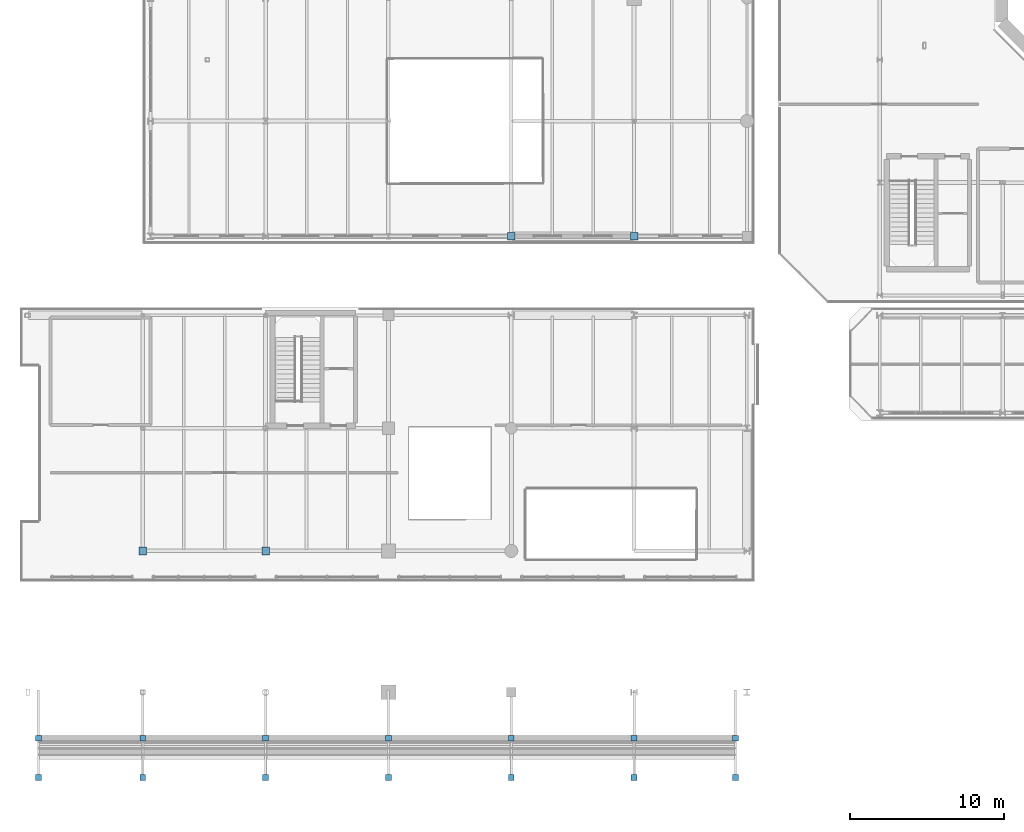
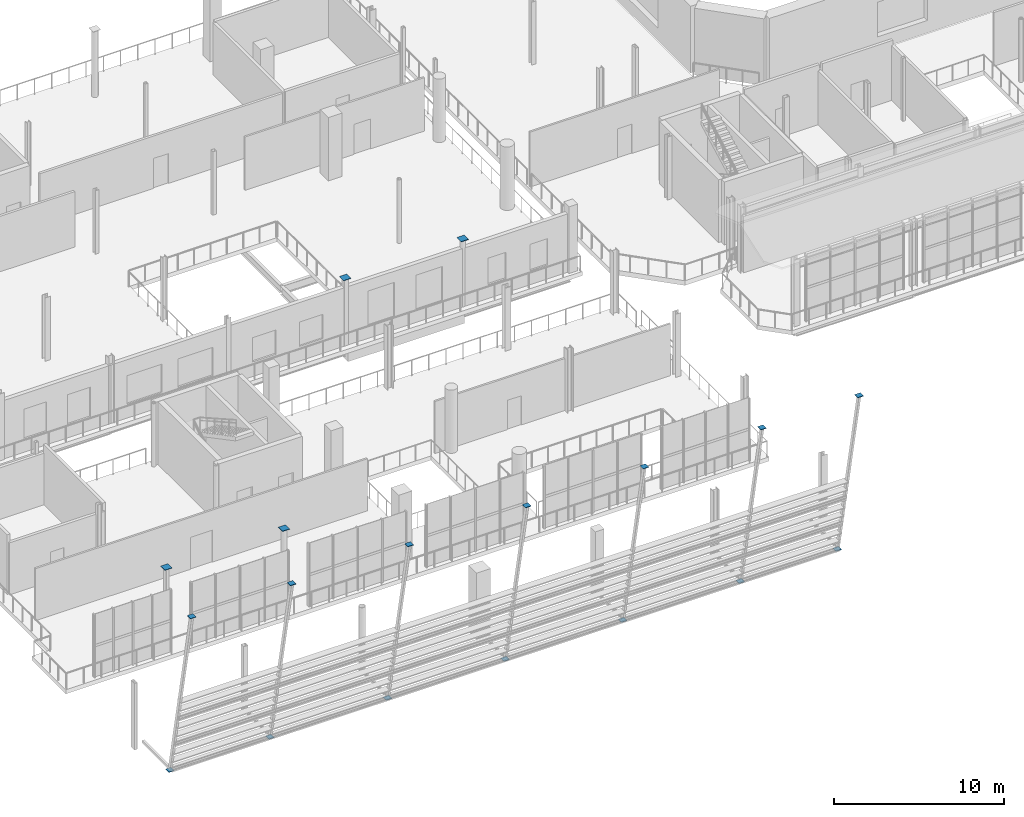
# One storey, part 77 of 93: 18 discrete accessories.
"""IFC4 building model written with IfcOpenShell, lengths in metres."""

from ifc_helpers import new_model, si_unit, direction, frame, origin, origin_2d, place, context, subcontext, project, spatial, rectangle, extrude, material, type_object, element, save


model = new_model("IFC4")

# Units and contexts
model_context = context("Model", 3, precision=1e-05, world=origin(), true_north=direction((0.0, 1.0)))
body_context = subcontext(model_context, "Body", "Model", "MODEL_VIEW")
ifc_project = project(units=[si_unit("LENGTHUNIT", "METRE"), si_unit("AREAUNIT", "SQUARE_METRE"), si_unit("VOLUMEUNIT", "CUBIC_METRE"), si_unit("PLANEANGLEUNIT", "RADIAN"), si_unit("MASSUNIT", "GRAM", prefix="KILO")], contexts=[model_context])

# Site, building, storey
site_placement = place(None, origin())
site = spatial("IfcSite", under=ifc_project, at=site_placement, CompositionType="ELEMENT")
building_placement = place(site_placement, origin())
building = spatial("IfcBuilding", under=site, at=building_placement, Name="Brisemont Oceanarium", CompositionType="ELEMENT")
storey_placement = place(building_placement, frame((0.0, 0.0, 5.39990234375)))
storey = spatial("IfcBuildingStorey", under=building, at=storey_placement, Name="L01", CompositionType="ELEMENT", Elevation=5.39990234375)

# Discrete accessories
ifc_material = material(Name="Structural Steel ASTM A572 Gr.50", Category="steel")
discrete_accessory_type = type_object("IfcDiscreteAccessoryType", Name="ACC-CAP-STL", PredefinedType="ANCHORPLATE", material=ifc_material)
for number, where, z_axis, x_axis, name in (
    (1, (16.0, 16.0, 4.7900390625), (0.0, 0.0, 1.0), (1.0, 0.0, 0.0), "V2 L01 hollow column welded end cap (1,1)"),
    (2, (24.0, 16.0, 4.7900390625), (0.0, 0.0, 1.0), (1.0, 0.0, 0.0), "V2 L01 hollow column welded end cap (2,1)"),
    (3, (40.0, 36.5, 4.7900390625), (0.0, 0.0, 1.0), (1.0, 0.0, 0.0), "V5W L01 hollow column welded end cap (3,0)"),
    (4, (48.0, 36.5, 4.7900390625), (0.0, 0.0, 1.0), (1.0, 0.0, 0.0), "V5W L01 hollow column welded end cap (4,0)"),
):
    element("IfcDiscreteAccessory", number, at=place(storey_placement, frame(where, z_axis=z_axis, x_axis=x_axis)), inside=storey, type_object=discrete_accessory_type, Name=name, PredefinedType="ANCHORPLATE", context=body_context, shape_type="SweptSolid", body=[
        extrude(rectangle(XDim=0.5, YDim=0.5, at=origin_2d()), origin(), (0.0, 0.0, 1.0), 0.030029296875),
    ])
for number, where, z_axis, x_axis, name in (
    (5, (9.199951171875, 3.800048828125, -0.01611328125), (0.0, 0.0, 1.0), (1.0, 0.0, 0.0), "Structural brace-strut end gusset connection 1 P0"),
    (6, (9.199951171875, 1.236572265625, 12.583984375), (0.0, 0.0, 1.0), (1.0, 0.0, 0.0), "Structural brace-strut end gusset connection 2 P1"),
    (7, (16.0, 3.800048828125, -0.01611328125), (0.0, 0.0, 1.0), (1.0, 0.0, 0.0), "Structural brace-strut end gusset connection 3 P0"),
    (8, (16.0, 1.236572265625, 12.583984375), (0.0, 0.0, 1.0), (1.0, 0.0, 0.0), "Structural brace-strut end gusset connection 4 P1"),
    (9, (24.0, 3.800048828125, -0.01611328125), (0.0, 0.0, 1.0), (1.0, 0.0, 0.0), "Structural brace-strut end gusset connection 5 P0"),
    (10, (24.0, 1.236572265625, 12.583984375), (0.0, 0.0, 1.0), (1.0, 0.0, 0.0), "Structural brace-strut end gusset connection 6 P1"),
    (11, (32.0, 3.800048828125, -0.01611328125), (0.0, 0.0, 1.0), (1.0, 0.0, 0.0), "Structural brace-strut end gusset connection 7 P0"),
    (12, (32.0, 1.236572265625, 12.583984375), (0.0, 0.0, 1.0), (1.0, 0.0, 0.0), "Structural brace-strut end gusset connection 8 P1"),
    (13, (40.0, 3.800048828125, -0.01611328125), (0.0, 0.0, 1.0), (1.0, 0.0, 0.0), "Structural brace-strut end gusset connection 9 P0"),
    (14, (40.0, 1.236572265625, 12.583984375), (0.0, 0.0, 1.0), (1.0, 0.0, 0.0), "Structural brace-strut end gusset connection 10 P1"),
    (15, (48.0, 3.800048828125, -0.01611328125), (0.0, 0.0, 1.0), (1.0, 0.0, 0.0), "Structural brace-strut end gusset connection 11 P0"),
    (16, (48.0, 1.236572265625, 12.583984375), (0.0, 0.0, 1.0), (1.0, 0.0, 0.0), "Structural brace-strut end gusset connection 12 P1"),
    (17, (54.60009765625, 3.800048828125, -0.01611328125), (0.0, 0.0, 1.0), (1.0, 0.0, 0.0), "Structural brace-strut end gusset connection 13 P0"),
    (18, (54.60009765625, 1.236572265625, 12.583984375), (0.0, 0.0, 1.0), (1.0, 0.0, 0.0), "Structural brace-strut end gusset connection 14 P1"),
):
    element("IfcDiscreteAccessory", number, at=place(storey_placement, frame(where, z_axis=z_axis, x_axis=x_axis)), inside=storey, type_object=discrete_accessory_type, Name=name, PredefinedType="ANCHORPLATE", context=body_context, shape_type="SweptSolid", body=[
        extrude(rectangle(XDim=0.3798828125, YDim=0.3798828125, at=origin_2d()), origin(), (0.0, 0.0, 1.0), 0.031982421875),
    ])

save(model, "model.ifc")
